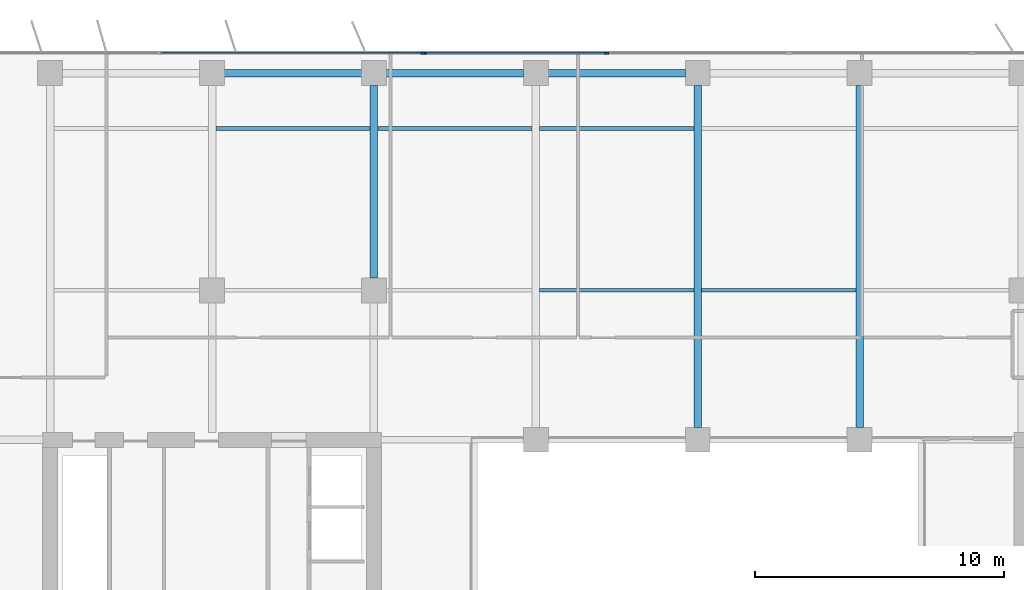
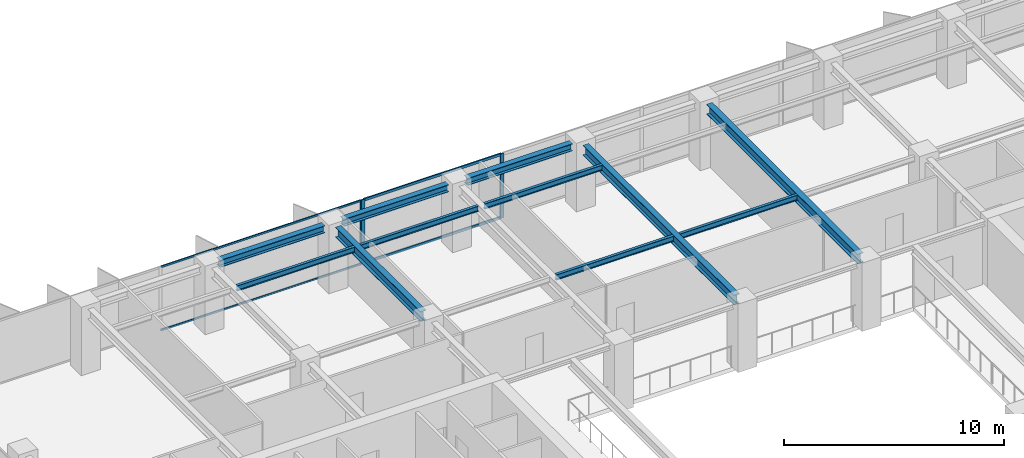
# One storey, part 9 of 22: 11 beams, 7 members, 2 elements without a shape of their own.
"""IFC4 building model written with IfcOpenShell, lengths in metres."""

from ifc_helpers import new_model, si_unit, direction, frame, origin, origin_2d, place, context, subcontext, project, spatial, rectangle, i_section, extrude, material, layer, layer_set, material_profile, profile_set, type_object, element, aggregate, save


model = new_model("IFC4")

# Units and contexts
model_context = context("Model", 3, precision=1e-05, world=origin(), true_north=direction((0.0, 1.0)))
body_context = subcontext(model_context, "Body", "Model", "MODEL_VIEW")
ifc_project = project(units=[si_unit("LENGTHUNIT", "METRE"), si_unit("AREAUNIT", "SQUARE_METRE"), si_unit("VOLUMEUNIT", "CUBIC_METRE"), si_unit("PLANEANGLEUNIT", "RADIAN"), si_unit("MASSUNIT", "GRAM", prefix="KILO")], contexts=[model_context])

# Site, building, storey
site_placement = place(None, origin())
site = spatial("IfcSite", under=ifc_project, at=site_placement, CompositionType="ELEMENT")
building_placement = place(site_placement, origin())
building = spatial("IfcBuilding", under=site, at=building_placement, Name="Putna Gate Headquarters", CompositionType="ELEMENT")
storey_placement = place(building_placement, frame((0.0, 0.0, 163.199951171875)))
storey = spatial("IfcBuildingStorey", under=building, at=storey_placement, Name="L40", CompositionType="ELEMENT", Elevation=163.199951171875)

# Beams
ifc_material_1 = material(Name="Steel S355J2", Category="steel")
ifc_material_profile_1 = material_profile(ifc_material_1, i_section(OverallWidth=0.300048828125, OverallDepth=0.550048828125, WebThickness=0.014892578125, FlangeThickness=0.029052734375, at=origin_2d()), Name="Steel S355J2")
ifc_profile_set_1 = profile_set([ifc_material_profile_1], Name="Steel S355J2")
beam_type_1 = type_object("IfcBeamType", Name="BM-GIRD-Z3-HEB550", PredefinedType="USERDEFINED", material=ifc_profile_set_1)
beam_placement = place(storey_placement, frame((26.0, 39.488037109375, 3.297119140625), z_axis=(0.0, 1.0, 0.0), x_axis=(-1.0, 0.0, 0.0)))
element("IfcBeam", 1, at=beam_placement, inside=storey, type_object=beam_type_1, Name="L40 North Primary Girder X26-2", ObjectType="GIRDER", PredefinedType="USERDEFINED", context=body_context, shape_type="SweptSolid", body=[
    extrude(i_section(OverallWidth=0.300048828125, OverallDepth=0.550048828125, WebThickness=0.014892578125, FlangeThickness=0.029052734375, at=origin_2d()), origin(), (0.0, 0.0, 1.0), 7.743896484375),
])
for number, where, z_axis, x_axis, name in (
    (2, (39.0, 33.488037109375, 3.297119140625), (0.0, 1.0, 0.0), (-1.0, 0.0, 0.0), "L40 North Primary Girder X39"),
    (3, (45.5, 33.488037109375, 3.297119140625), (0.0, 1.0, 0.0), (-1.0, 0.0, 0.0), "L40 North Primary Girder X45"),
):
    element("IfcBeam", number, at=place(storey_placement, frame(where, z_axis=z_axis, x_axis=x_axis)), inside=storey, type_object=beam_type_1, Name=name, ObjectType="GIRDER", PredefinedType="USERDEFINED", context=body_context, shape_type="SweptSolid", body=[
        extrude(i_section(OverallWidth=0.300048828125, OverallDepth=0.550048828125, WebThickness=0.014892578125, FlangeThickness=0.029052734375, at=origin_2d()), origin(), (0.0, 0.0, 1.0), 13.743896484375),
    ])
ifc_material_profile_2 = material_profile(ifc_material_1, i_section(OverallWidth=0.14990234375, OverallDepth=0.300048828125, WebThickness=0.007080078125, FlangeThickness=0.0107421875, at=origin_2d()), Name="Steel S355J2")
ifc_profile_set_2 = profile_set([ifc_material_profile_2], Name="Steel S355J2")
beam_type_2 = type_object("IfcBeamType", Name="BM-SEC-Z3-IPE300", PredefinedType="JOIST", material=ifc_profile_set_2)
for number, where, z_axis, x_axis, name in (
    (4, (19.654052734375, 45.5, 3.422119140625), (1.0, 0.0, 0.0), (0.0, 1.0, 0.0), "L40 North Secondary Beam 2"),
    (5, (26.154052734375, 45.5, 3.422119140625), (1.0, 0.0, 0.0), (0.0, 1.0, 0.0), "L40 North Secondary Beam 3"),
    (6, (32.654052734375, 39.0, 3.422119140625), (1.0, 0.0, 0.0), (0.0, 1.0, 0.0), "L40 North Secondary Beam 4"),
    (7, (32.654052734375, 45.5, 3.422119140625), (1.0, 0.0, 0.0), (0.0, 1.0, 0.0), "L40 North Secondary Beam 4"),
    (8, (39.154052734375, 39.0, 3.422119140625), (1.0, 0.0, 0.0), (0.0, 1.0, 0.0), "L40 North Secondary Beam 5"),
):
    element("IfcBeam", number, at=place(storey_placement, frame(where, z_axis=z_axis, x_axis=x_axis)), inside=storey, type_object=beam_type_2, Name=name, PredefinedType="JOIST", context=body_context, shape_type="SweptSolid", body=[
        extrude(i_section(OverallWidth=0.14990234375, OverallDepth=0.300048828125, WebThickness=0.007080078125, FlangeThickness=0.0107421875, at=origin_2d()), origin(), (0.0, 0.0, 1.0), 6.19189453125),
    ])
ifc_material_profile_3 = material_profile(ifc_material_1, i_section(OverallWidth=0.300048828125, OverallDepth=0.39990234375, WebThickness=0.013427734375, FlangeThickness=0.02392578125, at=origin_2d()), Name="Steel S355J2")
ifc_profile_set_3 = profile_set([ifc_material_profile_3], Name="Steel S355J2")
beam_type_3 = type_object("IfcBeamType", Name="BM-SPAN-Z3-HEB400", PredefinedType="SPANDREL", material=ifc_profile_set_3)
for number, where, z_axis, x_axis, name in (
    (9, (19.988037109375, 47.719970703125, 3.3720703125), (1.0, 0.0, 0.0), (0.0, 1.0, 0.0), "L40 N Perimeter Spandrel 2"),
    (10, (26.488037109375, 47.719970703125, 3.3720703125), (1.0, 0.0, 0.0), (0.0, 1.0, 0.0), "L40 N Perimeter Spandrel 3"),
    (11, (32.988037109375, 47.719970703125, 3.3720703125), (1.0, 0.0, 0.0), (0.0, 1.0, 0.0), "L40 N Perimeter Spandrel 4"),
):
    element("IfcBeam", number, at=place(storey_placement, frame(where, z_axis=z_axis, x_axis=x_axis)), inside=storey, type_object=beam_type_3, Name=name, PredefinedType="SPANDREL", context=body_context, shape_type="SweptSolid", body=[
        extrude(i_section(OverallWidth=0.300048828125, OverallDepth=0.39990234375, WebThickness=0.013427734375, FlangeThickness=0.02392578125, at=origin_2d()), origin(), (0.0, 0.0, 1.0), 5.52392578125),
    ])

# Curtain wall, member
ifc_material_2 = material(Name="Anodised bronze aluminium curtain wall", Category="aluminium")
ifc_layer_1 = layer(ifc_material_2, 0.159912109375)
ifc_layer_set_1 = layer_set([ifc_layer_1], Name="Anodised bronze aluminium curtain wall")
curtain_wall_type_1 = type_object("IfcCurtainWallType", Name="CW-SYS-Z3", PredefinedType="USERDEFINED", material=ifc_layer_set_1)
curtain_wall_1_placement = place(storey_placement, origin())
curtain_wall_1 = element("IfcCurtainWall", 12, at=curtain_wall_1_placement, inside=storey, type_object=curtain_wall_type_1, Name="L40 North West Curtain Wall", ObjectType="STICK CURTAIN WALL", PredefinedType="USERDEFINED")
ifc_material_3 = material(Name="Anodised bronze aluminium EN AW-6060", Category="aluminium")
ifc_material_profile_4 = material_profile(ifc_material_3, rectangle(XDim=0.06494140625, YDim=0.159912109375, at=origin_2d()), Name="Anodised bronze aluminium EN AW-6060")
ifc_profile_set_4 = profile_set([ifc_material_profile_4], Name="Anodised bronze aluminium EN AW-6060")
member_type_1 = type_object("IfcMemberType", Name="MULL-CWM-3", PredefinedType="MULLION", material=ifc_profile_set_4)
member_1_placement = place(storey_placement, frame((27.967529296875, 48.52001953125, 0.0), z_axis=(0.0, 0.0, 1.0), x_axis=(0.0, 1.0, 0.0)))
member_1 = element("IfcMember", 13, at=member_1_placement, type_object=member_type_1, Name="CWS-3 mullion 3", PredefinedType="MULLION", context=body_context, shape_type="SweptSolid", body=[
    extrude(rectangle(XDim=0.06494140625, YDim=0.159912109375, at=origin_2d()), origin(), (0.0, 0.0, 1.0), 3.572021484375),
])

# Curtain wall, members
ifc_layer_2 = layer(ifc_material_2, 0.179931640625)
ifc_layer_set_2 = layer_set([ifc_layer_2], Name="Anodised bronze aluminium curtain wall")
curtain_wall_type_2 = type_object("IfcCurtainWallType", Name="CW-SYS-ATR", PredefinedType="USERDEFINED", material=ifc_layer_set_2)
curtain_wall_2_placement = place(storey_placement, origin())
curtain_wall_2 = element("IfcCurtainWall", 14, at=curtain_wall_2_placement, inside=storey, type_object=curtain_wall_type_2, Name="L40 North Atrium Clear Glazing", ObjectType="ATRIUM GLAZING", PredefinedType="USERDEFINED")
ifc_material_profile_5 = material_profile(ifc_material_3, rectangle(XDim=0.070068359375, YDim=0.179931640625, at=origin_2d()), Name="Anodised bronze aluminium EN AW-6060")
ifc_profile_set_5 = profile_set([ifc_material_profile_5], Name="Anodised bronze aluminium EN AW-6060")
member_type_2 = type_object("IfcMemberType", Name="MULL-CWM-AT", PredefinedType="MULLION", material=ifc_profile_set_5)
member_2_placement = place(storey_placement, frame((28.034912109375, 48.52001953125, 0.0), z_axis=(0.0, 0.0, 1.0), x_axis=(0.0, 1.0, 0.0)))
member_2 = element("IfcMember", 15, at=member_2_placement, type_object=member_type_2, Name="CWS-AT mullion 1", PredefinedType="MULLION", context=body_context, shape_type="SweptSolid", body=[
    extrude(rectangle(XDim=0.070068359375, YDim=0.179931640625, at=origin_2d()), origin(), (0.0, 0.0, 1.0), 3.572021484375),
])
member_3_placement = place(storey_placement, frame((35.333251953125, 48.52001953125, 0.0), z_axis=(0.0, 0.0, 1.0), x_axis=(0.0, 1.0, 0.0)))
member_3 = element("IfcMember", 16, at=member_3_placement, type_object=member_type_2, Name="CWS-AT mullion 2", PredefinedType="MULLION", context=body_context, shape_type="SweptSolid", body=[
    extrude(rectangle(XDim=0.070068359375, YDim=0.179931640625, at=origin_2d()), origin(), (0.0, 0.0, 1.0), 3.572021484375),
])

# Member
ifc_material_profile_6 = material_profile(ifc_material_3, rectangle(XDim=0.06005859375, YDim=0.10009765625, at=origin_2d()), Name="Anodised bronze aluminium EN AW-6060")
ifc_profile_set_6 = profile_set([ifc_material_profile_6], Name="Anodised bronze aluminium EN AW-6060")
member_type_3 = type_object("IfcMemberType", Name="TRAN-CWT-3", PredefinedType="USERDEFINED", material=ifc_profile_set_6)
member_4_placement = place(storey_placement, frame((17.4326171875, 48.52001953125, 0.030029296875), z_axis=(1.0, 0.0, 0.0), x_axis=(0.0, 1.0, 0.0)))
member_4 = element("IfcMember", 17, at=member_4_placement, type_object=member_type_3, Name="CWS-3 transom 2.1", ObjectType="TRANSOM", PredefinedType="USERDEFINED", context=body_context, shape_type="SweptSolid", body=[
    extrude(rectangle(XDim=0.06005859375, YDim=0.10009765625, at=origin_2d()), origin(), (0.0, 0.0, 1.0), 10.50244140625),
])

member_5_placement = place(storey_placement, frame((17.4326171875, 48.52001953125, 3.5419921875), z_axis=(1.0, 0.0, 0.0), x_axis=(0.0, 1.0, 0.0)))
member_5 = element("IfcMember", 18, at=member_5_placement, type_object=member_type_3, Name="CWS-3 transom 2.2", ObjectType="TRANSOM", PredefinedType="USERDEFINED", context=body_context, shape_type="SweptSolid", body=[
    extrude(rectangle(XDim=0.06005859375, YDim=0.10009765625, at=origin_2d()), origin(), (0.0, 0.0, 1.0), 10.50244140625),
])

aggregate(curtain_wall_1, [member_1, member_4, member_5])

ifc_material_profile_7 = material_profile(ifc_material_3, rectangle(XDim=0.070068359375, YDim=0.139892578125, at=origin_2d()), Name="Anodised bronze aluminium EN AW-6060")
ifc_profile_set_7 = profile_set([ifc_material_profile_7], Name="Anodised bronze aluminium EN AW-6060")
member_type_4 = type_object("IfcMemberType", Name="TRAN-CWT-AT", PredefinedType="USERDEFINED", material=ifc_profile_set_7)
member_6_placement = place(storey_placement, frame((28.070068359375, 48.52001953125, 0.03515625), z_axis=(1.0, 0.0, 0.0), x_axis=(0.0, 1.0, 0.0)))
member_6 = element("IfcMember", 19, at=member_6_placement, type_object=member_type_4, Name="CWS-AT transom 1.1", ObjectType="TRANSOM", PredefinedType="USERDEFINED", context=body_context, shape_type="SweptSolid", body=[
    extrude(rectangle(XDim=0.070068359375, YDim=0.139892578125, at=origin_2d()), origin(), (0.0, 0.0, 1.0), 7.228271484375),
])

member_7_placement = place(storey_placement, frame((28.070068359375, 48.52001953125, 3.537109375), z_axis=(1.0, 0.0, 0.0), x_axis=(0.0, 1.0, 0.0)))
member_7 = element("IfcMember", 20, at=member_7_placement, type_object=member_type_4, Name="CWS-AT transom 1.2", ObjectType="TRANSOM", PredefinedType="USERDEFINED", context=body_context, shape_type="SweptSolid", body=[
    extrude(rectangle(XDim=0.070068359375, YDim=0.139892578125, at=origin_2d()), origin(), (0.0, 0.0, 1.0), 7.228271484375),
])

aggregate(curtain_wall_2, [member_2, member_3, member_6, member_7])

save(model, "model.ifc")
